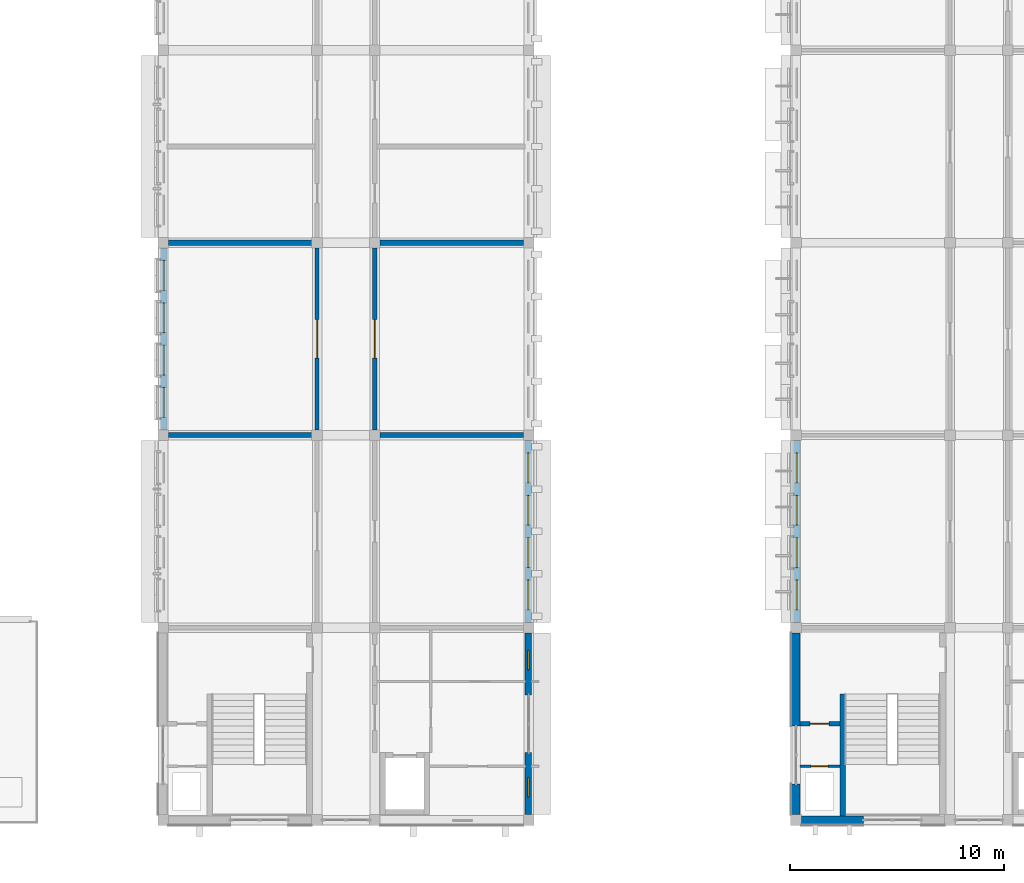
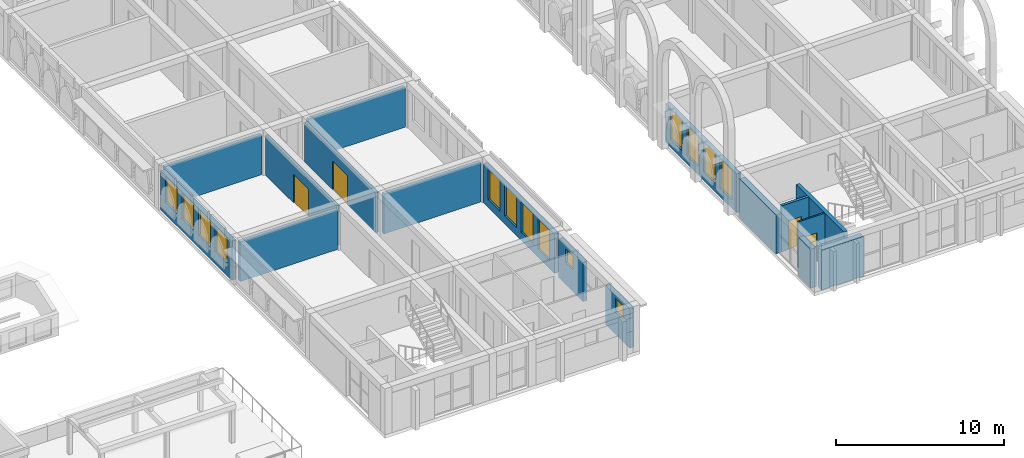
# One storey, part 36 of 70: 17 walls, 14 windows, 4 doors, 18 openings.
"""IFC4 building model written with IfcOpenShell, lengths in metres."""

import ifcopenshell
import ifcopenshell.guid

model = None  # the IFC model being written
_history = None  # IfcOwnerHistory: only IFC2X3 demands one
_inside = {}  # id of a spatial element -> (the spatial element, [elements in it])
_under = {}  # id of a project, library or spatial element -> (it, [spatial elements below it])
_declared = {}  # id of a project -> (the project, [libraries it declares])
_typed = {}  # id of a type object -> (the type object, [elements of that type])
_made_of = {}  # id of a material, layer set ... -> (it, [elements and type objects made of it])


def new_model(schema):
    """Start an empty IFC model of exactly this schema.

    Asked for "IFC4X3", IfcOpenShell would pick the latest addendum, in which some entities
    have other attributes; the version numbers below select the first issue.
    IFC2X3 requires an IfcOwnerHistory on every rooted entity: one is made here for all.
    """
    global model, _history
    if schema == "IFC4X3":
        model = ifcopenshell.file(schema_version=(4, 3, 0, 0))
    else:
        model = ifcopenshell.file(schema=schema)
    _inside.clear()
    _under.clear()
    _declared.clear()
    _typed.clear()
    _made_of.clear()
    _history = None
    if model.schema == "IFC2X3":
        org = make("IfcOrganization", Name="unknown")
        user = make(
            "IfcPersonAndOrganization",
            ThePerson=make("IfcPerson", FamilyName="unknown"),
            TheOrganization=org,
        )
        app = make(
            "IfcApplication",
            ApplicationDeveloper=org,
            Version="unknown",
            ApplicationFullName="unknown",
            ApplicationIdentifier="unknown",
        )
        _history = make(
            "IfcOwnerHistory",
            OwningUser=user,
            OwningApplication=app,
            ChangeAction="ADDED",
            CreationDate=0,
        )
    return model


def make(cls, **values):
    """One entity of the class cls with the attributes given. An attribute that is None is left unset."""
    return model.create_entity(
        cls, **{name: value for name, value in values.items() if value is not None}
    )


def rooted(cls, **values):
    """An entity with a GlobalId (a new one), such as an element, a storey or a relation."""
    return make(cls, GlobalId=ifcopenshell.guid.new(), OwnerHistory=_history, **values)


def si_unit(unit_type, name, prefix=None):
    """IfcSIUnit, for example si_unit("LENGTHUNIT", "METRE", prefix="MILLI")."""
    return make("IfcSIUnit", UnitType=unit_type, Prefix=prefix, Name=name)


def assignment(units):
    """IfcUnitAssignment: the units of a project."""
    return None if units is None else make("IfcUnitAssignment", Units=units)


def point(xyz):
    """IfcCartesianPoint."""
    return None if xyz is None else make("IfcCartesianPoint", Coordinates=xyz)


def direction(xyz):
    """IfcDirection."""
    return None if xyz is None else make("IfcDirection", DirectionRatios=xyz)


def frame(location, z_axis=None, x_axis=None):
    """IfcAxis2Placement3D, a coordinate frame: its origin and axes. An axis left out is left unset."""
    return make(
        "IfcAxis2Placement3D",
        Location=point(location),
        Axis=direction(z_axis),
        RefDirection=direction(x_axis),
    )


def frame_2d(location, x_axis=None):
    """IfcAxis2Placement2D, a coordinate frame in the plane: its origin and x axis."""
    return make(
        "IfcAxis2Placement2D", Location=point(location), RefDirection=direction(x_axis)
    )


def origin():
    """The frame at (0, 0, 0) with its axes left unset."""
    return frame((0.0, 0.0, 0.0))


def place(relative_to, where):
    """IfcLocalPlacement: puts the frame where relative to a parent placement (None: the world)."""
    return make(
        "IfcLocalPlacement", PlacementRelTo=relative_to, RelativePlacement=where
    )


def context(
    kind, dimensions, precision=None, world=None, true_north=None, identifier=None
):
    """IfcGeometricRepresentationContext, for example the 3D "Model" context."""
    return make(
        "IfcGeometricRepresentationContext",
        ContextIdentifier=identifier,
        ContextType=kind,
        CoordinateSpaceDimension=dimensions,
        Precision=precision,
        WorldCoordinateSystem=world,
        TrueNorth=true_north,
    )


def subcontext(parent, identifier, kind, view, scale=None):
    """IfcGeometricRepresentationSubContext, for example "Body" below "Model"."""
    return make(
        "IfcGeometricRepresentationSubContext",
        ContextIdentifier=identifier,
        ContextType=kind,
        ParentContext=parent,
        TargetScale=scale,
        TargetView=view,
    )


def project(units=None, contexts=None):
    """IfcProject with its units and contexts."""
    return rooted(
        "IfcProject",
        Name="project",
        RepresentationContexts=contexts,
        UnitsInContext=assignment(units),
    )


def spatial(cls, under=None, at=None, **own):
    """A site, building, storey or space (cls), placed at a placement, below another one or the project."""
    s = rooted(cls, ObjectPlacement=at, **own)
    if under is not None:
        _under.setdefault(under.id(), (under, []))[1].append(s)
    return s


def profile(cls, at=None, kind="AREA", **sizes):
    """A parametric profile (cls). Its sizes go by their IFC names, for example OverallWidth=200.0."""
    return make(cls, ProfileType=kind, Position=at, **sizes)


def rectangle(**sizes):
    """IfcRectangleProfileDef."""
    return profile("IfcRectangleProfileDef", **sizes)


def extrude(swept, where, along, depth):
    """IfcExtrudedAreaSolid: the profile swept, set in the frame where, extruded along a direction by depth."""
    return make(
        "IfcExtrudedAreaSolid",
        SweptArea=swept,
        Position=where,
        ExtrudedDirection=direction(along),
        Depth=depth,
    )


def shape(context_of_items, identifier, shape_type, items):
    """IfcShapeRepresentation: the items that make up one representation, for example the "Body"."""
    return make(
        "IfcShapeRepresentation",
        ContextOfItems=context_of_items,
        RepresentationIdentifier=identifier,
        RepresentationType=shape_type,
        Items=items,
    )


def material(Name=None, Category=None):
    """IfcMaterial."""
    return make("IfcMaterial", Name=Name, Category=Category)


def layer(
    of_material, thickness, ventilated=None, Name=None, Category=None, Priority=None
):
    """IfcMaterialLayer: one layer of a wall or slab, of a material (None: an air gap)."""
    return make(
        "IfcMaterialLayer",
        Material=of_material,
        LayerThickness=thickness,
        IsVentilated=ventilated,
        Name=Name,
        Category=Category,
        Priority=Priority,
    )


def layer_set(layers, Name=None):
    """IfcMaterialLayerSet."""
    return make("IfcMaterialLayerSet", MaterialLayers=layers, LayerSetName=Name)


def made_of(thing, what):
    """Note that an element or type object is made of a material, layer set ...; save() writes the relation."""
    if what is not None:
        _made_of.setdefault(what.id(), (what, []))[1].append(thing)
    return thing


def type_object(cls, material=None, **own):
    """A type object (cls), such as IfcWallType, which elements share."""
    return made_of(rooted(cls, **own), material)


def element(
    cls,
    number,
    at=None,
    inside=None,
    cuts=None,
    type_object=None,
    material=None,
    context=None,
    identifier="Body",
    shape_type=None,
    held_by="IfcProductDefinitionShape",
    body=None,
    shapes=None,
    **own,
):
    """One element of the class cls, such as IfcWall. Its Tag is "e" and its number.

    at: its placement. inside: the storey or other place that contains it. cuts: it is an
    opening in that element (IfcRelVoidsElement). A single representation is given by context,
    identifier, shape_type and body (its items); several are given by shapes. held_by: the class
    of the entity that holds the representations. save() writes the other relations.
    """
    e = rooted(cls, Tag="e%d" % number, ObjectPlacement=at, **own)
    if body is not None:
        shapes = [shape(context, identifier, shape_type, body)]
    if shapes is not None:
        e.Representation = make(held_by, Representations=shapes)
    if inside is not None:
        _inside.setdefault(inside.id(), (inside, []))[1].append(e)
    if cuts is not None:
        rooted(
            "IfcRelVoidsElement", RelatingBuildingElement=cuts, RelatedOpeningElement=e
        )
    if type_object is not None:
        _typed.setdefault(type_object.id(), (type_object, []))[1].append(e)
    return made_of(e, material)


def fill(opening, filler):
    """IfcRelFillsElement: the door or window that sits in an opening."""
    return rooted(
        "IfcRelFillsElement",
        RelatingOpeningElement=opening,
        RelatedBuildingElement=filler,
    )


def aggregate(whole, parts):
    """IfcRelAggregates: a whole, such as a stair, and the parts it consists of."""
    return rooted("IfcRelAggregates", RelatingObject=whole, RelatedObjects=parts)


def save(model, path):
    """Write the relations noted so far, then the file.

    IfcRelAggregates (storeys below a building ...), IfcRelContainedInSpatialStructure (elements
    in a storey), IfcRelDefinesByType, IfcRelAssociatesMaterial and IfcRelDeclares: one each for
    every whole, place, type object, material and project.
    """
    for whole, parts in _under.values():
        aggregate(whole, parts)
    for where, things in _inside.values():
        rooted(
            "IfcRelContainedInSpatialStructure",
            RelatedElements=things,
            RelatingStructure=where,
        )
    for kind, things in _typed.values():
        rooted("IfcRelDefinesByType", RelatedObjects=things, RelatingType=kind)
    for what, things in _made_of.values():
        rooted("IfcRelAssociatesMaterial", RelatedObjects=things, RelatingMaterial=what)
    for by, libraries in _declared.values():
        rooted("IfcRelDeclares", RelatingContext=by, RelatedDefinitions=libraries)
    model.write(path)


model = new_model("IFC4")

# Units and contexts
model_context = context("Model", 3, precision=1e-05, world=origin(), true_north=direction((0.0, 1.0)))
body_context = subcontext(model_context, "Body", "Model", "MODEL_VIEW")
ifc_project = project(units=[si_unit("LENGTHUNIT", "METRE"), si_unit("AREAUNIT", "SQUARE_METRE"), si_unit("VOLUMEUNIT", "CUBIC_METRE"), si_unit("PLANEANGLEUNIT", "RADIAN"), si_unit("MASSUNIT", "GRAM", prefix="KILO")], contexts=[model_context])

# Site, building, storey
site_placement = place(None, origin())
site = spatial("IfcSite", under=ifc_project, at=site_placement, CompositionType="ELEMENT")
building_placement = place(site_placement, origin())
building = spatial("IfcBuilding", under=site, at=building_placement, Name="Elbe Cascade School", CompositionType="ELEMENT")
storey_placement = place(building_placement, frame((0.0, 0.0, 8.10009765625)))
storey = spatial("IfcBuildingStorey", under=building, at=storey_placement, Name="L02", CompositionType="ELEMENT", Elevation=8.10009765625)

# Walls
ifc_material_1 = material(Name="Masonry - lime-sand block, plastered", Category="masonry")
ifc_layer_1 = layer(ifc_material_1, 0.239990234375)
ifc_layer_set_1 = layer_set([ifc_layer_1], Name="Masonry - lime-sand block, plastered")
wall_type_1 = type_object("IfcWallType", Name="Bar acoustic partition wall lime-sand block 240", PredefinedType="PARTITIONING", material=ifc_layer_set_1)
for number, where, z_axis, x_axis, name in (
    (1, (69.25, 24.0, 0.0), (0.0, 0.0, 1.0), (1.0, 0.0, 0.0), "Bar acoustic partition wall lime-sand block 240"),
    (2, (69.25, 33.0, 0.0), (0.0, 0.0, 1.0), (1.0, 0.0, 0.0), "Bar acoustic partition wall lime-sand block 240"),
):
    element("IfcWall", number, at=place(storey_placement, frame(where, z_axis=z_axis, x_axis=x_axis)), inside=storey, type_object=wall_type_1, Name=name, PredefinedType="PARTITIONING", context=body_context, shape_type="SweptSolid", body=[
        extrude(rectangle(XDim=6.699951171875, YDim=0.239990234375, at=frame_2d((3.35009765625, 0.0))), origin(), (0.0, 0.0, 1.0), 2.89990234375),
    ])
for number, where, z_axis, x_axis, name in (
    (3, (79.14990234375, 24.0, 0.0), (0.0, 0.0, 1.0), (1.0, 0.0, 0.0), "Bar acoustic partition wall lime-sand block 240"),
    (4, (79.14990234375, 33.0, 0.0), (0.0, 0.0, 1.0), (1.0, 0.0, 0.0), "Bar acoustic partition wall lime-sand block 240"),
):
    element("IfcWall", number, at=place(storey_placement, frame(where, z_axis=z_axis, x_axis=x_axis)), inside=storey, type_object=wall_type_1, Name=name, PredefinedType="PARTITIONING", context=body_context, shape_type="SweptSolid", body=[
        extrude(rectangle(XDim=6.7001953125, YDim=0.239990234375, at=frame_2d((3.35009765625, 0.0))), origin(), (0.0, 0.0, 1.0), 2.89990234375),
    ])

# Wall, opening, door
ifc_material_2 = material(Name="Masonry - lime-sand block, plastered", Category="masonry")
ifc_layer_2 = layer(ifc_material_2, 0.199951171875)
ifc_layer_set_2 = layer_set([ifc_layer_2], Name="Masonry - lime-sand block, plastered")
wall_type_2 = type_object("IfcWallType", Name="Bar corridor wall lime-sand block 200 EI 30", PredefinedType="PARTITIONING", material=ifc_layer_set_2)
wall_1_placement = place(storey_placement, frame((76.199951171875, 24.25, 0.0), z_axis=(0.0, 0.0, 1.0), x_axis=(0.0, 1.0, 0.0)))
wall_1 = element("IfcWall", 5, at=wall_1_placement, inside=storey, type_object=wall_type_2, Name="Bar corridor wall lime-sand block 200 EI 30", PredefinedType="PARTITIONING", context=body_context, shape_type="SweptSolid", body=[
    extrude(rectangle(XDim=8.5, YDim=0.199951171875, at=frame_2d((4.25, 0.0))), origin(), (0.0, 0.0, 1.0), 2.89990234375),
])
opening_1_placement = place(wall_1_placement, frame((3.35009765625, 0.0, 0.0)))
opening_1 = element("IfcOpeningElement", 6, at=opening_1_placement, cuts=wall_1, Name="Opening D2.012", PredefinedType="OPENING", context=body_context, shape_type="SweptSolid", body=[
    extrude(rectangle(XDim=1.800048828125, YDim=2.10009765625, at=frame_2d((0.89990234375, 1.050048828125))), frame((0.0, 0.10986328125, 0.0), z_axis=(0.0, -1.0, 0.0), x_axis=(1.0, 0.0, 0.0)), (0.0, 0.0, 1.0), 0.219970703125),
])
ifc_material_3 = material(Name="Timber door leaves, fire-resisting, steel frame", Category="steel")
door_type_1 = type_object("IfcDoorType", Name="Bar door FD30 1800x2100", OperationType="NOTDEFINED", PredefinedType="DOOR", material=ifc_material_3)
door_1_placement = place(opening_1_placement, origin())
door_1 = element("IfcDoor", 7, at=door_1_placement, inside=storey, type_object=door_type_1, Name="Door A2.21", OperationType="DOUBLE_DOOR_DOUBLE_SWING", OverallHeight=2.10009765625, OverallWidth=1.800048828125, PredefinedType="DOOR", context=body_context, shape_type="SweptSolid", body=[
    extrude(rectangle(XDim=1.800048828125, YDim=2.10009765625, at=frame_2d((0.89990234375, 1.050048828125))), frame((0.0, 0.02490234375, 0.0), z_axis=(0.0, -1.0, 0.0), x_axis=(1.0, 0.0, 0.0)), (0.0, 0.0, 1.0), 0.050048828125),
])
fill(opening_1, door_1)

wall_2_placement = place(storey_placement, frame((78.89990234375, 32.75, 0.0), z_axis=(0.0, 0.0, 1.0), x_axis=(0.0, -1.0, 0.0)))
wall_2 = element("IfcWall", 8, at=wall_2_placement, inside=storey, type_object=wall_type_2, Name="Bar corridor wall lime-sand block 200 EI 30", PredefinedType="PARTITIONING", context=body_context, shape_type="SweptSolid", body=[
    extrude(rectangle(XDim=8.5, YDim=0.199951171875, at=frame_2d((4.25, 0.0))), origin(), (0.0, 0.0, 1.0), 2.89990234375),
])
opening_2_placement = place(wall_2_placement, frame((3.35009765625, 0.0, 0.0)))
opening_2 = element("IfcOpeningElement", 9, at=opening_2_placement, cuts=wall_2, Name="Opening D2.013", PredefinedType="OPENING", context=body_context, shape_type="SweptSolid", body=[
    extrude(rectangle(XDim=1.800048828125, YDim=2.10009765625, at=frame_2d((0.89990234375, 1.050048828125))), frame((0.0, 0.10986328125, 0.0), z_axis=(0.0, -1.0, 0.0), x_axis=(1.0, 0.0, 0.0)), (0.0, 0.0, 1.0), 0.219970703125),
])
door_2_placement = place(opening_2_placement, origin())
door_2 = element("IfcDoor", 10, at=door_2_placement, inside=storey, type_object=door_type_1, Name="Door A2.26", OperationType="DOUBLE_DOOR_DOUBLE_SWING", OverallHeight=2.10009765625, OverallWidth=1.800048828125, PredefinedType="DOOR", context=body_context, shape_type="SweptSolid", body=[
    extrude(rectangle(XDim=1.800048828125, YDim=2.10009765625, at=frame_2d((0.89990234375, 1.050048828125))), frame((0.0, 0.02490234375, 0.0), z_axis=(0.0, -1.0, 0.0), x_axis=(1.0, 0.0, 0.0)), (0.0, 0.0, 1.0), 0.050048828125),
])
fill(opening_2, door_2)

ifc_material_4 = material(Name="Masonry - lime-sand block, plastered", Category="masonry")
ifc_layer_3 = layer(ifc_material_4, 0.114990234375)
ifc_layer_set_3 = layer_set([ifc_layer_3], Name="Masonry - lime-sand block, plastered")
wall_type_3 = type_object("IfcWallType", Name="Bar light partition wall lime-sand block 115", PredefinedType="PARTITIONING", material=ifc_layer_set_3)
wall_3_placement = place(storey_placement, frame((100.64990234375, 8.52001953125, 0.0), z_axis=(0.0, 0.0, 1.0), x_axis=(-1.0, 0.0, 0.0)))
wall_3 = element("IfcWall", 11, at=wall_3_placement, inside=storey, type_object=wall_type_3, Name="Bar light partition wall lime-sand block 115", PredefinedType="PARTITIONING", context=body_context, shape_type="SweptSolid", body=[
    extrude(rectangle(XDim=1.869873046875, YDim=0.114990234375, at=frame_2d((0.93505859375, 0.0))), origin(), (0.0, 0.0, 1.0), 3.349853515625),
])
opening_3_placement = place(wall_3_placement, frame((0.550048828125, 0.0, 0.0)))
opening_3 = element("IfcOpeningElement", 12, at=opening_3_placement, cuts=wall_3, Name="Opening D2.029", PredefinedType="OPENING", context=body_context, shape_type="SweptSolid", body=[
    extrude(rectangle(XDim=0.800048828125, YDim=2.10009765625, at=frame_2d((0.39990234375, 1.050048828125))), frame((0.0, 0.0673828125, 0.0), z_axis=(0.0, -1.0, 0.0), x_axis=(1.0, 0.0, 0.0)), (0.0, 0.0, 1.0), 0.135009765625),
])
ifc_material_5 = material(Name="Timber door leaf, steel frame", Category="steel")
door_type_2 = type_object("IfcDoorType", Name="Bar door 800x2100", OperationType="NOTDEFINED", PredefinedType="DOOR", material=ifc_material_5)
door_3_placement = place(opening_3_placement, origin())
door_3 = element("IfcDoor", 13, at=door_3_placement, inside=storey, type_object=door_type_2, Name="Door B2.05", OperationType="SINGLE_SWING_LEFT", OverallHeight=2.10009765625, OverallWidth=0.800048828125, PredefinedType="DOOR", context=body_context, shape_type="SweptSolid", body=[
    extrude(rectangle(XDim=0.800048828125, YDim=2.10009765625, at=frame_2d((0.39990234375, 1.050048828125))), frame((0.0, 0.02490234375, 0.0), z_axis=(0.0, -1.0, 0.0), x_axis=(1.0, 0.0, 0.0)), (0.0, 0.0, 1.0), 0.050048828125),
])
fill(opening_3, door_3)

# Wall
ifc_material_6 = material(Name="Concrete C30/37", Category="concrete")
ifc_layer_4 = layer(ifc_material_6, 0.25)
ifc_layer_set_4 = layer_set([ifc_layer_4], Name="Concrete C30/37")
wall_type_4 = type_object("IfcWallType", Name="Bar stair core wall RC 250", PredefinedType="SOLIDWALL", material=ifc_layer_set_4)
wall_4_placement = place(storey_placement, frame((100.77490234375, 6.179931640625, 0.0), z_axis=(0.0, 0.0, 1.0), x_axis=(0.0, 1.0, 0.0)))
element("IfcWall", 14, at=wall_4_placement, inside=storey, type_object=wall_type_4, Name="Bar stair core wall RC 250", PredefinedType="SOLIDWALL", context=body_context, shape_type="SweptSolid", body=[
    extrude(rectangle(XDim=5.719970703125, YDim=0.25, at=frame_2d((2.85986328125, 0.0))), origin(), (0.0, 0.0, 1.0), 3.349853515625),
])

# Wall, opening, door
ifc_material_7 = material(Name="Concrete C30/37", Category="concrete")
ifc_layer_5 = layer(ifc_material_7, 0.199951171875)
ifc_layer_set_5 = layer_set([ifc_layer_5], Name="Concrete C30/37")
wall_type_5 = type_object("IfcWallType", Name="Bar stair lobby wall RC 200", PredefinedType="SOLIDWALL", material=ifc_layer_set_5)
wall_5_placement = place(storey_placement, frame((100.64990234375, 10.5, 0.0), z_axis=(0.0, 0.0, 1.0), x_axis=(-1.0, 0.0, 0.0)))
wall_5 = element("IfcWall", 15, at=wall_5_placement, inside=storey, type_object=wall_type_5, Name="Bar stair lobby wall RC 200", PredefinedType="SOLIDWALL", context=body_context, shape_type="SweptSolid", body=[
    extrude(rectangle(XDim=1.869873046875, YDim=0.199951171875, at=frame_2d((0.93505859375, 0.0))), origin(), (0.0, 0.0, 1.0), 3.349853515625),
])
opening_4_placement = place(wall_5_placement, frame((0.5, 0.0, 0.0)))
opening_4 = element("IfcOpeningElement", 16, at=opening_4_placement, cuts=wall_5, Name="Opening D2.032", PredefinedType="OPENING", context=body_context, shape_type="SweptSolid", body=[
    extrude(rectangle(XDim=0.89990234375, YDim=2.10009765625, at=frame_2d((0.449951171875, 1.050048828125))), frame((0.0, 0.10986328125, 0.0), z_axis=(0.0, -1.0, 0.0), x_axis=(1.0, 0.0, 0.0)), (0.0, 0.0, 1.0), 0.219970703125),
])
ifc_material_8 = material(Name="Timber door leaf, fire-resisting and smoke-tight, steel frame", Category="steel")
door_type_3 = type_object("IfcDoorType", Name="Bar door FD30S 900x2100", OperationType="NOTDEFINED", PredefinedType="DOOR", material=ifc_material_8)
door_4_placement = place(opening_4_placement, origin())
door_4 = element("IfcDoor", 17, at=door_4_placement, inside=storey, type_object=door_type_3, Name="Door B2.04", OperationType="SINGLE_SWING_RIGHT", OverallHeight=2.10009765625, OverallWidth=0.89990234375, PredefinedType="DOOR", context=body_context, shape_type="SweptSolid", body=[
    extrude(rectangle(XDim=0.89990234375, YDim=2.10009765625, at=frame_2d((0.449951171875, 1.050048828125))), frame((0.0, 0.02490234375, 0.0), z_axis=(0.0, -1.0, 0.0), x_axis=(1.0, 0.0, 0.0)), (0.0, 0.0, 1.0), 0.050048828125),
])
fill(opening_4, door_4)

# Wall, openings, windows
ifc_material_9 = material(Name="Brick masonry - red clinker, cavity wall with render backing", Category="masonry")
ifc_layer_6 = layer(ifc_material_9, 0.300048828125)
ifc_layer_set_6 = layer_set([ifc_layer_6], Name="Brick masonry - red clinker, cavity wall with render backing")
wall_type_6 = type_object("IfcWallType", Name="Bars envelope External wall - clinker brick cavity, 300 upper floors", PredefinedType="STANDARD", material=ifc_layer_set_6)
wall_6_placement = place(storey_placement, frame((69.030029296875, 24.25, 0.0), z_axis=(0.0, 0.0, 1.0), x_axis=(0.0, 1.0, 0.0)))
wall_6 = element("IfcWall", 18, at=wall_6_placement, inside=storey, type_object=wall_type_6, Name="External wall W30 A.L02.w3", PredefinedType="STANDARD", context=body_context, shape_type="SweptSolid", body=[
    extrude(rectangle(XDim=8.5, YDim=0.300048828125, at=frame_2d((4.25, 0.0))), origin(), (0.0, 0.0, 1.0), 2.849853515625),
])
opening_5_placement = place(wall_6_placement, frame((0.580078125, 0.0, 0.89990234375)))
opening_5 = element("IfcOpeningElement", 19, at=opening_5_placement, cuts=wall_6, Name="Opening W2.012", PredefinedType="OPENING", context=body_context, shape_type="SweptSolid", body=[
    extrude(rectangle(XDim=1.39990234375, YDim=1.89990234375, at=frame_2d((0.699951171875, 0.949951171875))), frame((0.0, 0.159912109375, 0.0), z_axis=(0.0, -1.0, 0.0), x_axis=(1.0, 0.0, 0.0)), (0.0, 0.0, 1.0), 0.320068359375),
])
opening_6_placement = place(wall_6_placement, frame((2.56005859375, 0.0, 0.89990234375)))
opening_6 = element("IfcOpeningElement", 20, at=opening_6_placement, cuts=wall_6, Name="Opening W2.014", PredefinedType="OPENING", context=body_context, shape_type="SweptSolid", body=[
    extrude(rectangle(XDim=1.39990234375, YDim=1.89990234375, at=frame_2d((0.699951171875, 0.949951171875))), frame((0.0, 0.159912109375, 0.0), z_axis=(0.0, -1.0, 0.0), x_axis=(1.0, 0.0, 0.0)), (0.0, 0.0, 1.0), 0.320068359375),
])
opening_7_placement = place(wall_6_placement, frame((4.5400390625, 0.0, 0.89990234375)))
opening_7 = element("IfcOpeningElement", 21, at=opening_7_placement, cuts=wall_6, Name="Opening W2.016", PredefinedType="OPENING", context=body_context, shape_type="SweptSolid", body=[
    extrude(rectangle(XDim=1.39990234375, YDim=1.89990234375, at=frame_2d((0.699951171875, 0.949951171875))), frame((0.0, 0.159912109375, 0.0), z_axis=(0.0, -1.0, 0.0), x_axis=(1.0, 0.0, 0.0)), (0.0, 0.0, 1.0), 0.320068359375),
])
opening_8_placement = place(wall_6_placement, frame((6.52001953125, 0.0, 0.89990234375)))
opening_8 = element("IfcOpeningElement", 22, at=opening_8_placement, cuts=wall_6, Name="Opening W2.018", PredefinedType="OPENING", context=body_context, shape_type="SweptSolid", body=[
    extrude(rectangle(XDim=1.39990234375, YDim=1.89990234375, at=frame_2d((0.699951171875, 0.949951171875))), frame((0.0, 0.159912109375, 0.0), z_axis=(0.0, -1.0, 0.0), x_axis=(1.0, 0.0, 0.0)), (0.0, 0.0, 1.0), 0.320068359375),
])
ifc_material_10 = material(Name="Aluminium frame with double glazing, bronze anodised", Category="aluminium")
window_type_1 = type_object("IfcWindowType", Name="Bars envelope Window 1400 x 1900, laboratory and office, bench height sill, aluminium double glazed", PartitioningType="DOUBLE_PANEL_VERTICAL", PredefinedType="WINDOW", material=ifc_material_10)
window_1_placement = place(opening_5_placement, origin())
window_1 = element("IfcWindow", 23, at=window_1_placement, inside=storey, type_object=window_type_1, Name="Window WN6 A.L02.w3.1", OverallHeight=1.89990234375, OverallWidth=1.39990234375, PartitioningType="DOUBLE_PANEL_VERTICAL", PredefinedType="WINDOW", context=body_context, shape_type="SweptSolid", body=[
    extrude(rectangle(XDim=1.39990234375, YDim=1.89990234375, at=frame_2d((0.699951171875, 0.949951171875))), frame((0.0, 0.030029296875, 0.0), z_axis=(0.0, -1.0, 0.0), x_axis=(1.0, 0.0, 0.0)), (0.0, 0.0, 1.0), 0.06005859375),
])
fill(opening_5, window_1)
window_2_placement = place(opening_6_placement, origin())
window_2 = element("IfcWindow", 24, at=window_2_placement, inside=storey, type_object=window_type_1, Name="Window WN6 A.L02.w3.2", OverallHeight=1.89990234375, OverallWidth=1.39990234375, PartitioningType="DOUBLE_PANEL_VERTICAL", PredefinedType="WINDOW", context=body_context, shape_type="SweptSolid", body=[
    extrude(rectangle(XDim=1.39990234375, YDim=1.89990234375, at=frame_2d((0.699951171875, 0.949951171875))), frame((0.0, 0.030029296875, 0.0), z_axis=(0.0, -1.0, 0.0), x_axis=(1.0, 0.0, 0.0)), (0.0, 0.0, 1.0), 0.06005859375),
])
fill(opening_6, window_2)
window_3_placement = place(opening_7_placement, origin())
window_3 = element("IfcWindow", 25, at=window_3_placement, inside=storey, type_object=window_type_1, Name="Window WN6 A.L02.w3.3", OverallHeight=1.89990234375, OverallWidth=1.39990234375, PartitioningType="DOUBLE_PANEL_VERTICAL", PredefinedType="WINDOW", context=body_context, shape_type="SweptSolid", body=[
    extrude(rectangle(XDim=1.39990234375, YDim=1.89990234375, at=frame_2d((0.699951171875, 0.949951171875))), frame((0.0, 0.030029296875, 0.0), z_axis=(0.0, -1.0, 0.0), x_axis=(1.0, 0.0, 0.0)), (0.0, 0.0, 1.0), 0.06005859375),
])
fill(opening_7, window_3)
window_4_placement = place(opening_8_placement, origin())
window_4 = element("IfcWindow", 26, at=window_4_placement, inside=storey, type_object=window_type_1, Name="Window WN6 A.L02.w3.4", OverallHeight=1.89990234375, OverallWidth=1.39990234375, PartitioningType="DOUBLE_PANEL_VERTICAL", PredefinedType="WINDOW", context=body_context, shape_type="SweptSolid", body=[
    extrude(rectangle(XDim=1.39990234375, YDim=1.89990234375, at=frame_2d((0.699951171875, 0.949951171875))), frame((0.0, 0.030029296875, 0.0), z_axis=(0.0, -1.0, 0.0), x_axis=(1.0, 0.0, 0.0)), (0.0, 0.0, 1.0), 0.06005859375),
])
fill(opening_8, window_4)

# Wall, opening, window
wall_7_placement = place(storey_placement, frame((86.070068359375, 9.14990234375, 0.0), z_axis=(0.0, 0.0, 1.0), x_axis=(0.0, -1.0, 0.0)))
wall_7 = element("IfcWall", 27, at=wall_7_placement, inside=storey, type_object=wall_type_6, Name="External wall W30 A.L02.e1a", PredefinedType="STANDARD", context=body_context, shape_type="SweptSolid", body=[
    extrude(rectangle(XDim=2.89990234375, YDim=0.300048828125, at=frame_2d((1.449951171875, 0.0))), origin(), (0.0, 0.0, 1.0), 2.849853515625),
])
opening_9_placement = place(wall_7_placement, frame((1.169921875, 0.0, 1.60009765625)))
opening_9 = element("IfcOpeningElement", 28, at=opening_9_placement, cuts=wall_7, Name="Opening W2.002", PredefinedType="OPENING", context=body_context, shape_type="SweptSolid", body=[
    extrude(rectangle(XDim=0.89990234375, YDim=1.0, at=frame_2d((0.449951171875, 0.5))), frame((0.0, 0.159912109375, 0.0), z_axis=(0.0, -1.0, 0.0), x_axis=(1.0, 0.0, 0.0)), (0.0, 0.0, 1.0), 0.320068359375),
])
ifc_material_11 = material(Name="Aluminium frame with double glazing, bronze anodised", Category="aluminium")
window_type_2 = type_object("IfcWindowType", Name="Bars envelope Window 900 x 1000, WC and service room, high level, aluminium double glazed", PartitioningType="SINGLE_PANEL", PredefinedType="WINDOW", material=ifc_material_11)
window_5_placement = place(opening_9_placement, origin())
window_5 = element("IfcWindow", 29, at=window_5_placement, inside=storey, type_object=window_type_2, Name="Window WN4 A.L02.e1a.1", OverallHeight=1.0, OverallWidth=0.89990234375, PartitioningType="SINGLE_PANEL", PredefinedType="WINDOW", context=body_context, shape_type="SweptSolid", body=[
    extrude(rectangle(XDim=0.89990234375, YDim=1.0, at=frame_2d((0.449951171875, 0.5))), frame((0.0, 0.030029296875, 0.0), z_axis=(0.0, -1.0, 0.0), x_axis=(1.0, 0.0, 0.0)), (0.0, 0.0, 1.0), 0.06005859375),
])
fill(opening_9, window_5)

wall_8_placement = place(storey_placement, frame((86.070068359375, 14.75, 0.0), z_axis=(0.0, 0.0, 1.0), x_axis=(0.0, -1.0, 0.0)))
wall_8 = element("IfcWall", 30, at=wall_8_placement, inside=storey, type_object=wall_type_6, Name="External wall W30 A.L02.e1b", PredefinedType="STANDARD", context=body_context, shape_type="SweptSolid", body=[
    extrude(rectangle(XDim=2.89990234375, YDim=0.300048828125, at=frame_2d((1.449951171875, 0.0))), origin(), (0.0, 0.0, 1.0), 2.849853515625),
])
opening_10_placement = place(wall_8_placement, frame((0.830078125, 0.0, 1.60009765625)))
opening_10 = element("IfcOpeningElement", 31, at=opening_10_placement, cuts=wall_8, Name="Opening W2.003", PredefinedType="OPENING", context=body_context, shape_type="SweptSolid", body=[
    extrude(rectangle(XDim=0.89990234375, YDim=1.0, at=frame_2d((0.449951171875, 0.5))), frame((0.0, 0.159912109375, 0.0), z_axis=(0.0, -1.0, 0.0), x_axis=(1.0, 0.0, 0.0)), (0.0, 0.0, 1.0), 0.320068359375),
])
window_6_placement = place(opening_10_placement, origin())
window_6 = element("IfcWindow", 32, at=window_6_placement, inside=storey, type_object=window_type_2, Name="Window WN4 A.L02.e1b.1", OverallHeight=1.0, OverallWidth=0.89990234375, PartitioningType="SINGLE_PANEL", PredefinedType="WINDOW", context=body_context, shape_type="SweptSolid", body=[
    extrude(rectangle(XDim=0.89990234375, YDim=1.0, at=frame_2d((0.449951171875, 0.5))), frame((0.0, 0.030029296875, 0.0), z_axis=(0.0, -1.0, 0.0), x_axis=(1.0, 0.0, 0.0)), (0.0, 0.0, 1.0), 0.06005859375),
])
fill(opening_10, window_6)

# Wall, openings, windows
wall_9_placement = place(storey_placement, frame((86.070068359375, 23.75, 0.0), z_axis=(0.0, 0.0, 1.0), x_axis=(0.0, -1.0, 0.0)))
wall_9 = element("IfcWall", 33, at=wall_9_placement, inside=storey, type_object=wall_type_6, Name="External wall W30 A.L02.e2", PredefinedType="STANDARD", context=body_context, shape_type="SweptSolid", body=[
    extrude(rectangle(XDim=8.5, YDim=0.300048828125, at=frame_2d((4.25, 0.0))), origin(), (0.0, 0.0, 1.0), 2.849853515625),
])
opening_11_placement = place(wall_9_placement, frame((6.52001953125, 0.0, 0.60009765625)))
opening_11 = element("IfcOpeningElement", 34, at=opening_11_placement, cuts=wall_9, Name="Opening W2.005", PredefinedType="OPENING", context=body_context, shape_type="SweptSolid", body=[
    extrude(rectangle(XDim=1.39990234375, YDim=2.199951171875, at=frame_2d((0.699951171875, 1.10009765625))), frame((0.0, 0.159912109375, 0.0), z_axis=(0.0, -1.0, 0.0), x_axis=(1.0, 0.0, 0.0)), (0.0, 0.0, 1.0), 0.320068359375),
])
opening_12_placement = place(wall_9_placement, frame((4.5400390625, 0.0, 0.60009765625)))
opening_12 = element("IfcOpeningElement", 35, at=opening_12_placement, cuts=wall_9, Name="Opening W2.007", PredefinedType="OPENING", context=body_context, shape_type="SweptSolid", body=[
    extrude(rectangle(XDim=1.39990234375, YDim=2.199951171875, at=frame_2d((0.699951171875, 1.10009765625))), frame((0.0, 0.159912109375, 0.0), z_axis=(0.0, -1.0, 0.0), x_axis=(1.0, 0.0, 0.0)), (0.0, 0.0, 1.0), 0.320068359375),
])
opening_13_placement = place(wall_9_placement, frame((2.56005859375, 0.0, 0.60009765625)))
opening_13 = element("IfcOpeningElement", 36, at=opening_13_placement, cuts=wall_9, Name="Opening W2.009", PredefinedType="OPENING", context=body_context, shape_type="SweptSolid", body=[
    extrude(rectangle(XDim=1.39990234375, YDim=2.199951171875, at=frame_2d((0.699951171875, 1.10009765625))), frame((0.0, 0.159912109375, 0.0), z_axis=(0.0, -1.0, 0.0), x_axis=(1.0, 0.0, 0.0)), (0.0, 0.0, 1.0), 0.320068359375),
])
opening_14_placement = place(wall_9_placement, frame((0.580078125, 0.0, 0.60009765625)))
opening_14 = element("IfcOpeningElement", 37, at=opening_14_placement, cuts=wall_9, Name="Opening W2.011", PredefinedType="OPENING", context=body_context, shape_type="SweptSolid", body=[
    extrude(rectangle(XDim=1.39990234375, YDim=2.199951171875, at=frame_2d((0.699951171875, 1.10009765625))), frame((0.0, 0.159912109375, 0.0), z_axis=(0.0, -1.0, 0.0), x_axis=(1.0, 0.0, 0.0)), (0.0, 0.0, 1.0), 0.320068359375),
])
ifc_material_12 = material(Name="Aluminium frame with double glazing, bronze anodised", Category="aluminium")
window_type_3 = type_object("IfcWindowType", Name="Bars envelope Window 1400 x 2200, classroom, aluminium double glazed", PartitioningType="DOUBLE_PANEL_VERTICAL", PredefinedType="WINDOW", material=ifc_material_12)
window_7_placement = place(opening_11_placement, origin())
window_7 = element("IfcWindow", 38, at=window_7_placement, inside=storey, type_object=window_type_3, Name="Window WN7 A.L02.e2.1", OverallHeight=2.199951171875, OverallWidth=1.39990234375, PartitioningType="DOUBLE_PANEL_VERTICAL", PredefinedType="WINDOW", context=body_context, shape_type="SweptSolid", body=[
    extrude(rectangle(XDim=1.39990234375, YDim=2.199951171875, at=frame_2d((0.699951171875, 1.10009765625))), frame((0.0, 0.030029296875, 0.0), z_axis=(0.0, -1.0, 0.0), x_axis=(1.0, 0.0, 0.0)), (0.0, 0.0, 1.0), 0.06005859375),
])
fill(opening_11, window_7)
window_8_placement = place(opening_12_placement, origin())
window_8 = element("IfcWindow", 39, at=window_8_placement, inside=storey, type_object=window_type_3, Name="Window WN7 A.L02.e2.2", OverallHeight=2.199951171875, OverallWidth=1.39990234375, PartitioningType="DOUBLE_PANEL_VERTICAL", PredefinedType="WINDOW", context=body_context, shape_type="SweptSolid", body=[
    extrude(rectangle(XDim=1.39990234375, YDim=2.199951171875, at=frame_2d((0.699951171875, 1.10009765625))), frame((0.0, 0.030029296875, 0.0), z_axis=(0.0, -1.0, 0.0), x_axis=(1.0, 0.0, 0.0)), (0.0, 0.0, 1.0), 0.06005859375),
])
fill(opening_12, window_8)
window_9_placement = place(opening_13_placement, origin())
window_9 = element("IfcWindow", 40, at=window_9_placement, inside=storey, type_object=window_type_3, Name="Window WN7 A.L02.e2.3", OverallHeight=2.199951171875, OverallWidth=1.39990234375, PartitioningType="DOUBLE_PANEL_VERTICAL", PredefinedType="WINDOW", context=body_context, shape_type="SweptSolid", body=[
    extrude(rectangle(XDim=1.39990234375, YDim=2.199951171875, at=frame_2d((0.699951171875, 1.10009765625))), frame((0.0, 0.030029296875, 0.0), z_axis=(0.0, -1.0, 0.0), x_axis=(1.0, 0.0, 0.0)), (0.0, 0.0, 1.0), 0.06005859375),
])
fill(opening_13, window_9)
window_10_placement = place(opening_14_placement, origin())
window_10 = element("IfcWindow", 41, at=window_10_placement, inside=storey, type_object=window_type_3, Name="Window WN7 A.L02.e2.4", OverallHeight=2.199951171875, OverallWidth=1.39990234375, PartitioningType="DOUBLE_PANEL_VERTICAL", PredefinedType="WINDOW", context=body_context, shape_type="SweptSolid", body=[
    extrude(rectangle(XDim=1.39990234375, YDim=2.199951171875, at=frame_2d((0.699951171875, 1.10009765625))), frame((0.0, 0.030029296875, 0.0), z_axis=(0.0, -1.0, 0.0), x_axis=(1.0, 0.0, 0.0)), (0.0, 0.0, 1.0), 0.06005859375),
])
fill(opening_14, window_10)

wall_10_placement = place(storey_placement, frame((98.6298828125, 15.25, 0.0), z_axis=(0.0, 0.0, 1.0), x_axis=(0.0, 1.0, 0.0)))
wall_10 = element("IfcWall", 42, at=wall_10_placement, inside=storey, type_object=wall_type_6, Name="External wall W30 B.L02.w2", PredefinedType="STANDARD", context=body_context, shape_type="SweptSolid", body=[
    extrude(rectangle(XDim=8.5, YDim=0.300048828125, at=frame_2d((4.25, 0.0))), origin(), (0.0, 0.0, 1.0), 2.849853515625),
])
opening_15_placement = place(wall_10_placement, frame((0.580078125, 0.0, 0.60009765625)))
opening_15 = element("IfcOpeningElement", 43, at=opening_15_placement, cuts=wall_10, Name="Opening W2.042", PredefinedType="OPENING", context=body_context, shape_type="SweptSolid", body=[
    extrude(rectangle(XDim=1.39990234375, YDim=2.199951171875, at=frame_2d((0.699951171875, 1.10009765625))), frame((0.0, 0.159912109375, 0.0), z_axis=(0.0, -1.0, 0.0), x_axis=(1.0, 0.0, 0.0)), (0.0, 0.0, 1.0), 0.320068359375),
])
opening_16_placement = place(wall_10_placement, frame((2.56005859375, 0.0, 0.60009765625)))
opening_16 = element("IfcOpeningElement", 44, at=opening_16_placement, cuts=wall_10, Name="Opening W2.044", PredefinedType="OPENING", context=body_context, shape_type="SweptSolid", body=[
    extrude(rectangle(XDim=1.39990234375, YDim=2.199951171875, at=frame_2d((0.699951171875, 1.10009765625))), frame((0.0, 0.159912109375, 0.0), z_axis=(0.0, -1.0, 0.0), x_axis=(1.0, 0.0, 0.0)), (0.0, 0.0, 1.0), 0.320068359375),
])
opening_17_placement = place(wall_10_placement, frame((4.5400390625, 0.0, 0.60009765625)))
opening_17 = element("IfcOpeningElement", 45, at=opening_17_placement, cuts=wall_10, Name="Opening W2.046", PredefinedType="OPENING", context=body_context, shape_type="SweptSolid", body=[
    extrude(rectangle(XDim=1.39990234375, YDim=2.199951171875, at=frame_2d((0.699951171875, 1.10009765625))), frame((0.0, 0.159912109375, 0.0), z_axis=(0.0, -1.0, 0.0), x_axis=(1.0, 0.0, 0.0)), (0.0, 0.0, 1.0), 0.320068359375),
])
opening_18_placement = place(wall_10_placement, frame((6.52001953125, 0.0, 0.60009765625)))
opening_18 = element("IfcOpeningElement", 46, at=opening_18_placement, cuts=wall_10, Name="Opening W2.048", PredefinedType="OPENING", context=body_context, shape_type="SweptSolid", body=[
    extrude(rectangle(XDim=1.39990234375, YDim=2.199951171875, at=frame_2d((0.699951171875, 1.10009765625))), frame((0.0, 0.159912109375, 0.0), z_axis=(0.0, -1.0, 0.0), x_axis=(1.0, 0.0, 0.0)), (0.0, 0.0, 1.0), 0.320068359375),
])
window_11_placement = place(opening_15_placement, origin())
window_11 = element("IfcWindow", 47, at=window_11_placement, inside=storey, type_object=window_type_3, Name="Window WN7 B.L02.w2.1", OverallHeight=2.199951171875, OverallWidth=1.39990234375, PartitioningType="DOUBLE_PANEL_VERTICAL", PredefinedType="WINDOW", context=body_context, shape_type="SweptSolid", body=[
    extrude(rectangle(XDim=1.39990234375, YDim=2.199951171875, at=frame_2d((0.699951171875, 1.10009765625))), frame((0.0, 0.030029296875, 0.0), z_axis=(0.0, -1.0, 0.0), x_axis=(1.0, 0.0, 0.0)), (0.0, 0.0, 1.0), 0.06005859375),
])
fill(opening_15, window_11)
window_12_placement = place(opening_16_placement, origin())
window_12 = element("IfcWindow", 48, at=window_12_placement, inside=storey, type_object=window_type_3, Name="Window WN7 B.L02.w2.2", OverallHeight=2.199951171875, OverallWidth=1.39990234375, PartitioningType="DOUBLE_PANEL_VERTICAL", PredefinedType="WINDOW", context=body_context, shape_type="SweptSolid", body=[
    extrude(rectangle(XDim=1.39990234375, YDim=2.199951171875, at=frame_2d((0.699951171875, 1.10009765625))), frame((0.0, 0.030029296875, 0.0), z_axis=(0.0, -1.0, 0.0), x_axis=(1.0, 0.0, 0.0)), (0.0, 0.0, 1.0), 0.06005859375),
])
fill(opening_16, window_12)
window_13_placement = place(opening_17_placement, origin())
window_13 = element("IfcWindow", 49, at=window_13_placement, inside=storey, type_object=window_type_3, Name="Window WN7 B.L02.w2.3", OverallHeight=2.199951171875, OverallWidth=1.39990234375, PartitioningType="DOUBLE_PANEL_VERTICAL", PredefinedType="WINDOW", context=body_context, shape_type="SweptSolid", body=[
    extrude(rectangle(XDim=1.39990234375, YDim=2.199951171875, at=frame_2d((0.699951171875, 1.10009765625))), frame((0.0, 0.030029296875, 0.0), z_axis=(0.0, -1.0, 0.0), x_axis=(1.0, 0.0, 0.0)), (0.0, 0.0, 1.0), 0.06005859375),
])
fill(opening_17, window_13)
window_14_placement = place(opening_18_placement, origin())
window_14 = element("IfcWindow", 50, at=window_14_placement, inside=storey, type_object=window_type_3, Name="Window WN7 B.L02.w2.4", OverallHeight=2.199951171875, OverallWidth=1.39990234375, PartitioningType="DOUBLE_PANEL_VERTICAL", PredefinedType="WINDOW", context=body_context, shape_type="SweptSolid", body=[
    extrude(rectangle(XDim=1.39990234375, YDim=2.199951171875, at=frame_2d((0.699951171875, 1.10009765625))), frame((0.0, 0.030029296875, 0.0), z_axis=(0.0, -1.0, 0.0), x_axis=(1.0, 0.0, 0.0)), (0.0, 0.0, 1.0), 0.06005859375),
])
fill(opening_18, window_14)

# Walls
ifc_material_13 = material(Name="Brick masonry - red clinker, solid, sandstone-faced", Category="masonry")
ifc_layer_7 = layer(ifc_material_13, 0.39990234375)
ifc_layer_set_7 = layer_set([ifc_layer_7], Name="Brick masonry - red clinker, solid, sandstone-faced")
wall_type_7 = type_object("IfcWallType", Name="Bars envelope External wall - solid masonry core strip, sandstone faced, 400", PredefinedType="STANDARD", material=ifc_layer_set_7)
wall_11_placement = place(storey_placement, frame((98.580078125, 6.25, 0.0), z_axis=(0.0, 0.0, 1.0), x_axis=(0.0, 1.0, 0.0)))
element("IfcWall", 51, at=wall_11_placement, inside=storey, type_object=wall_type_7, Name="External wall W31 B.L02.w1a", PredefinedType="STANDARD", context=body_context, shape_type="SweptSolid", body=[
    extrude(rectangle(XDim=1.43994140625, YDim=0.39990234375, at=frame_2d((0.719970703125, 0.0))), origin(), (0.0, 0.0, 1.0), 2.849853515625),
])
wall_12_placement = place(storey_placement, frame((98.580078125, 10.389892578125, 0.0), z_axis=(0.0, 0.0, 1.0), x_axis=(0.0, 1.0, 0.0)))
element("IfcWall", 52, at=wall_12_placement, inside=storey, type_object=wall_type_7, Name="External wall W31 B.L02.w1b", PredefinedType="STANDARD", context=body_context, shape_type="SweptSolid", body=[
    extrude(rectangle(XDim=4.360107421875, YDim=0.39990234375, at=frame_2d((2.18017578125, 0.0))), origin(), (0.0, 0.0, 1.0), 2.849853515625),
])
wall_13_placement = place(storey_placement, frame((101.75, 5.97998046875, 0.0), z_axis=(0.0, 0.0, 1.0), x_axis=(-1.0, 0.0, 0.0)))
element("IfcWall", 53, at=wall_13_placement, inside=storey, type_object=wall_type_7, Name="External wall W31 B.L02.s1a", PredefinedType="STANDARD", context=body_context, shape_type="SweptSolid", body=[
    extrude(rectangle(XDim=2.89990234375, YDim=0.39990234375, at=frame_2d((1.449951171875, 0.0))), origin(), (0.0, 0.0, 1.0), 2.89990234375),
])

save(model, "model.ifc")
